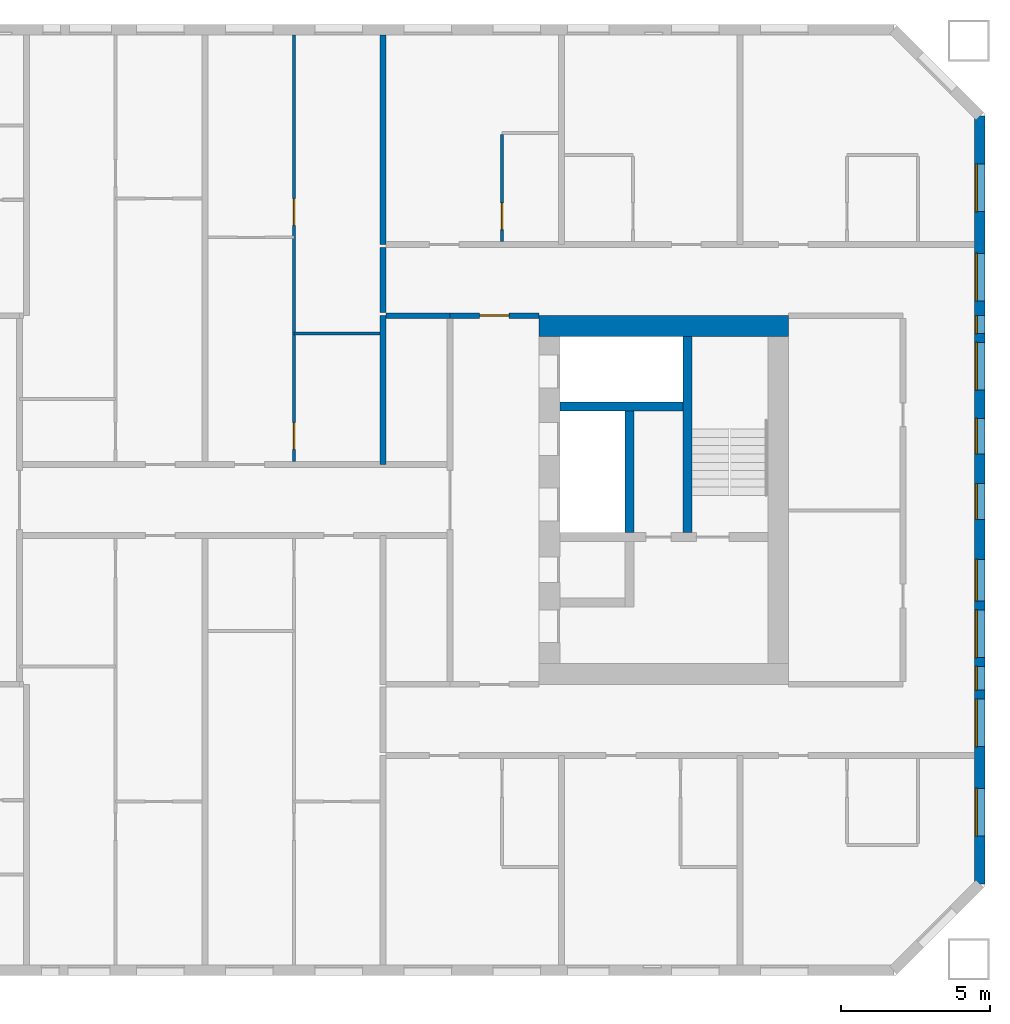
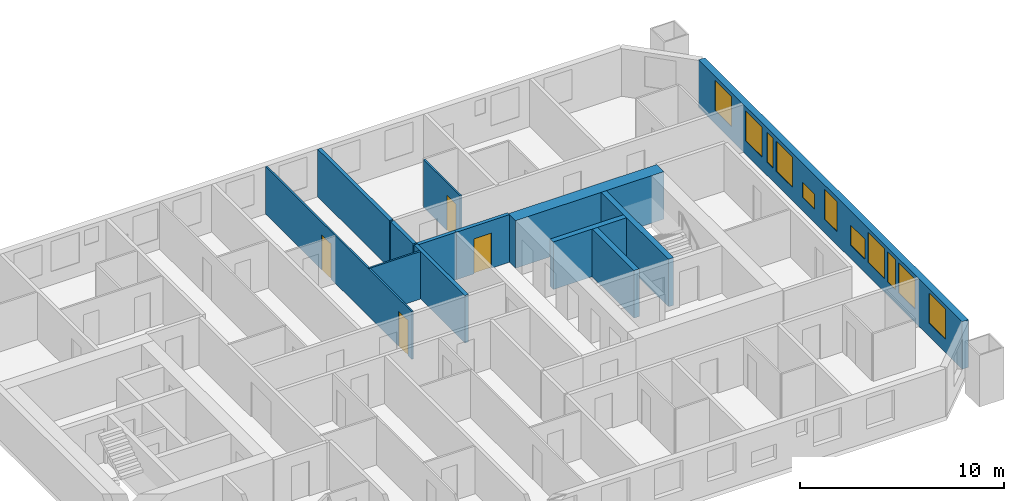
# One storey, part 13 of 17: 13 walls, 11 windows, 4 doors, 15 openings.
"""IFC4 building model written with IfcOpenShell, lengths in metres."""

from ifc_helpers import new_model, si_unit, direction, frame, frame_2d, origin, place, context, subcontext, project, spatial, rectangle, extrude, material, layer, layer_set, type_object, element, fill, save


model = new_model("IFC4")

# Units and contexts
model_context = context("Model", 3, precision=1e-05, world=origin(), true_north=direction((0.0, 1.0)))
body_context = subcontext(model_context, "Body", "Model", "MODEL_VIEW")
ifc_project = project(units=[si_unit("LENGTHUNIT", "METRE"), si_unit("AREAUNIT", "SQUARE_METRE"), si_unit("VOLUMEUNIT", "CUBIC_METRE"), si_unit("PLANEANGLEUNIT", "RADIAN"), si_unit("MASSUNIT", "GRAM", prefix="KILO")], contexts=[model_context])

# Site, building, storey
site_placement = place(None, origin())
site = spatial("IfcSite", under=ifc_project, at=site_placement, CompositionType="ELEMENT")
building_placement = place(site_placement, origin())
building = spatial("IfcBuilding", under=site, at=building_placement, Name="Tuart Gate Housing", CompositionType="ELEMENT")
storey_placement = place(building_placement, frame((0.0, 0.0, 77.800048828125)))
storey = spatial("IfcBuildingStorey", under=building, at=storey_placement, Name="L21", CompositionType="ELEMENT", Elevation=77.800048828125)

# Wall, openings, windows
ifc_material_1 = material(Name="Brick", Category="masonry")
ifc_layer_1 = layer(ifc_material_1, 0.360107421875)
ifc_layer_set_1 = layer_set([ifc_layer_1], Name="Brick pier and spandrel wall 360")
wall_type_1 = type_object("IfcWallType", Name="Brick pier and spandrel wall 360", PredefinedType="STANDARD", material=ifc_layer_set_1)
wall_1_placement = place(storey_placement, frame((175.070068359375, 57.07470703125, 0.0), z_axis=(0.0, 0.0, 1.0), x_axis=(0.0, 1.0, 0.0)))
wall_1 = element("IfcWall", 1, at=wall_1_placement, inside=storey, type_object=wall_type_1, Name="External wall B-E L21", PredefinedType="STANDARD", context=body_context, shape_type="SweptSolid", body=[
    extrude(rectangle(XDim=25.850830078125, YDim=0.360107421875, at=frame_2d((12.92529296875, 0.0))), origin(), (0.0, 0.0, 1.0), 2.849853515625),
])
opening_1_placement = place(wall_1_placement, frame((1.62548828125, 0.0, 0.800048828125)))
opening_1 = element("IfcOpeningElement", 2, at=opening_1_placement, cuts=wall_1, Name="Opening W1", PredefinedType="OPENING", context=body_context, shape_type="SweptSolid", body=[
    extrude(rectangle(XDim=1.60009765625, YDim=1.800048828125, at=frame_2d((0.800048828125, 0.89990234375))), frame((0.0, 0.18994140625, 0.0), z_axis=(0.0, -1.0, 0.0), x_axis=(1.0, 0.0, 0.0)), (0.0, 0.0, 1.0), 0.380126953125),
])
opening_2_placement = place(wall_1_placement, frame((4.62548828125, 0.0, 0.800048828125)))
opening_2 = element("IfcOpeningElement", 3, at=opening_2_placement, cuts=wall_1, Name="Opening W1", PredefinedType="OPENING", context=body_context, shape_type="SweptSolid", body=[
    extrude(rectangle(XDim=1.60009765625, YDim=1.800048828125, at=frame_2d((0.800048828125, 0.89990234375))), frame((0.0, 0.18994140625, 0.0), z_axis=(0.0, -1.0, 0.0), x_axis=(1.0, 0.0, 0.0)), (0.0, 0.0, 1.0), 0.380126953125),
])
opening_3_placement = place(wall_1_placement, frame((7.62548828125, 0.0, 0.800048828125)))
opening_3 = element("IfcOpeningElement", 4, at=opening_3_placement, cuts=wall_1, Name="Opening W1", PredefinedType="OPENING", context=body_context, shape_type="SweptSolid", body=[
    extrude(rectangle(XDim=1.60009765625, YDim=1.800048828125, at=frame_2d((0.800048828125, 0.89990234375))), frame((0.0, 0.18994140625, 0.0), z_axis=(0.0, -1.0, 0.0), x_axis=(1.0, 0.0, 0.0)), (0.0, 0.0, 1.0), 0.380126953125),
])
opening_4_placement = place(wall_1_placement, frame((6.525390625, 0.0, 0.800048828125)))
opening_4 = element("IfcOpeningElement", 5, at=opening_4_placement, cuts=wall_1, Name="Opening W1D", PredefinedType="OPENING", context=body_context, shape_type="SweptSolid", body=[
    extrude(rectangle(XDim=0.800048828125, YDim=1.800048828125, at=frame_2d((0.39990234375, 0.89990234375))), frame((0.0, 0.18994140625, 0.0), z_axis=(0.0, -1.0, 0.0), x_axis=(1.0, 0.0, 0.0)), (0.0, 0.0, 1.0), 0.380126953125),
])
opening_5_placement = place(wall_1_placement, frame((9.525390625, 0.0, 0.800048828125)))
opening_5 = element("IfcOpeningElement", 6, at=opening_5_placement, cuts=wall_1, Name="Opening W1M", PredefinedType="OPENING", context=body_context, shape_type="SweptSolid", body=[
    extrude(rectangle(XDim=1.39990234375, YDim=1.199951171875, at=frame_2d((0.699951171875, 0.60009765625))), frame((0.0, 0.18994140625, 0.0), z_axis=(0.0, -1.0, 0.0), x_axis=(1.0, 0.0, 0.0)), (0.0, 0.0, 1.0), 0.380126953125),
])
opening_6_placement = place(wall_1_placement, frame((16.62548828125, 0.0, 0.800048828125)))
opening_6 = element("IfcOpeningElement", 7, at=opening_6_placement, cuts=wall_1, Name="Opening W1", PredefinedType="OPENING", context=body_context, shape_type="SweptSolid", body=[
    extrude(rectangle(XDim=1.60009765625, YDim=1.800048828125, at=frame_2d((0.800048828125, 0.89990234375))), frame((0.0, 0.18994140625, 0.0), z_axis=(0.0, -1.0, 0.0), x_axis=(1.0, 0.0, 0.0)), (0.0, 0.0, 1.0), 0.380126953125),
])
opening_7_placement = place(wall_1_placement, frame((19.62548828125, 0.0, 0.800048828125)))
opening_7 = element("IfcOpeningElement", 8, at=opening_7_placement, cuts=wall_1, Name="Opening W1", PredefinedType="OPENING", context=body_context, shape_type="SweptSolid", body=[
    extrude(rectangle(XDim=1.60009765625, YDim=1.800048828125, at=frame_2d((0.800048828125, 0.89990234375))), frame((0.0, 0.18994140625, 0.0), z_axis=(0.0, -1.0, 0.0), x_axis=(1.0, 0.0, 0.0)), (0.0, 0.0, 1.0), 0.380126953125),
])
opening_8_placement = place(wall_1_placement, frame((22.62548828125, 0.0, 0.800048828125)))
opening_8 = element("IfcOpeningElement", 9, at=opening_8_placement, cuts=wall_1, Name="Opening W1", PredefinedType="OPENING", context=body_context, shape_type="SweptSolid", body=[
    extrude(rectangle(XDim=1.60009765625, YDim=1.800048828125, at=frame_2d((0.800048828125, 0.89990234375))), frame((0.0, 0.18994140625, 0.0), z_axis=(0.0, -1.0, 0.0), x_axis=(1.0, 0.0, 0.0)), (0.0, 0.0, 1.0), 0.380126953125),
])
opening_9_placement = place(wall_1_placement, frame((12.275390625, 0.0, 0.800048828125)))
opening_9 = element("IfcOpeningElement", 10, at=opening_9_placement, cuts=wall_1, Name="Opening W1B", PredefinedType="OPENING", context=body_context, shape_type="SweptSolid", body=[
    extrude(rectangle(XDim=1.199951171875, YDim=1.800048828125, at=frame_2d((0.60009765625, 0.89990234375))), frame((0.0, 0.18994140625, 0.0), z_axis=(0.0, -1.0, 0.0), x_axis=(1.0, 0.0, 0.0)), (0.0, 0.0, 1.0), 0.380126953125),
])
opening_10_placement = place(wall_1_placement, frame((14.475341796875, 0.0, 0.800048828125)))
opening_10 = element("IfcOpeningElement", 11, at=opening_10_placement, cuts=wall_1, Name="Opening W1T", PredefinedType="OPENING", context=body_context, shape_type="SweptSolid", body=[
    extrude(rectangle(XDim=1.199951171875, YDim=0.89990234375, at=frame_2d((0.60009765625, 0.449951171875))), frame((0.0, 0.18994140625, 0.0), z_axis=(0.0, -1.0, 0.0), x_axis=(1.0, 0.0, 0.0)), (0.0, 0.0, 1.0), 0.380126953125),
])
opening_11_placement = place(wall_1_placement, frame((18.525390625, 0.0, 0.800048828125)))
opening_11 = element("IfcOpeningElement", 12, at=opening_11_placement, cuts=wall_1, Name="Opening W1E", PredefinedType="OPENING", context=body_context, shape_type="SweptSolid", body=[
    extrude(rectangle(XDim=0.60009765625, YDim=1.800048828125, at=frame_2d((0.300048828125, 0.89990234375))), frame((0.0, 0.18994140625, 0.0), z_axis=(0.0, -1.0, 0.0), x_axis=(1.0, 0.0, 0.0)), (0.0, 0.0, 1.0), 0.380126953125),
])
ifc_material_2 = material(Name="Aluminium frame with clear glass", Category="aluminium")
window_type_1 = type_object("IfcWindowType", Name="Punched window 1200 x 1800", PartitioningType="SINGLE_PANEL", PredefinedType="WINDOW", material=ifc_material_2)
window_1_placement = place(opening_9_placement, origin())
window_1 = element("IfcWindow", 13, at=window_1_placement, inside=storey, type_object=window_type_1, Name="Window W1B", OverallHeight=1.800048828125, OverallWidth=1.199951171875, PartitioningType="SINGLE_PANEL", PredefinedType="WINDOW", context=body_context, shape_type="SweptSolid", body=[
    extrude(rectangle(XDim=1.199951171875, YDim=1.800048828125, at=frame_2d((0.60009765625, 0.89990234375))), frame((0.0, 0.150146484375, 0.0), z_axis=(0.0, -1.0, 0.0), x_axis=(1.0, 0.0, 0.0)), (0.0, 0.0, 1.0), 0.06005859375),
])
fill(opening_9, window_1)
ifc_material_3 = material(Name="Aluminium frame with clear glass", Category="aluminium")
window_type_2 = type_object("IfcWindowType", Name="Punched window 1200 x 900", PartitioningType="SINGLE_PANEL", PredefinedType="WINDOW", material=ifc_material_3)
window_2_placement = place(opening_10_placement, origin())
window_2 = element("IfcWindow", 14, at=window_2_placement, inside=storey, type_object=window_type_2, Name="Window W1T", OverallHeight=0.89990234375, OverallWidth=1.199951171875, PartitioningType="SINGLE_PANEL", PredefinedType="WINDOW", context=body_context, shape_type="SweptSolid", body=[
    extrude(rectangle(XDim=1.199951171875, YDim=0.89990234375, at=frame_2d((0.60009765625, 0.449951171875))), frame((0.0, 0.150146484375, 0.0), z_axis=(0.0, -1.0, 0.0), x_axis=(1.0, 0.0, 0.0)), (0.0, 0.0, 1.0), 0.06005859375),
])
fill(opening_10, window_2)
ifc_material_4 = material(Name="Aluminium frame with clear glass", Category="aluminium")
window_type_3 = type_object("IfcWindowType", Name="Punched window 1400 x 1200", PartitioningType="SINGLE_PANEL", PredefinedType="WINDOW", material=ifc_material_4)
window_3_placement = place(opening_5_placement, origin())
window_3 = element("IfcWindow", 15, at=window_3_placement, inside=storey, type_object=window_type_3, Name="Window W1M", OverallHeight=1.199951171875, OverallWidth=1.39990234375, PartitioningType="SINGLE_PANEL", PredefinedType="WINDOW", context=body_context, shape_type="SweptSolid", body=[
    extrude(rectangle(XDim=1.39990234375, YDim=1.199951171875, at=frame_2d((0.699951171875, 0.60009765625))), frame((0.0, 0.150146484375, 0.0), z_axis=(0.0, -1.0, 0.0), x_axis=(1.0, 0.0, 0.0)), (0.0, 0.0, 1.0), 0.06005859375),
])
fill(opening_5, window_3)
ifc_material_5 = material(Name="Aluminium frame with clear glass", Category="aluminium")
window_type_4 = type_object("IfcWindowType", Name="Punched window 1600 x 1800", PartitioningType="SINGLE_PANEL", PredefinedType="WINDOW", material=ifc_material_5)
window_4_placement = place(opening_1_placement, origin())
window_4 = element("IfcWindow", 16, at=window_4_placement, inside=storey, type_object=window_type_4, Name="Window W1", OverallHeight=1.800048828125, OverallWidth=1.60009765625, PartitioningType="SINGLE_PANEL", PredefinedType="WINDOW", context=body_context, shape_type="SweptSolid", body=[
    extrude(rectangle(XDim=1.60009765625, YDim=1.800048828125, at=frame_2d((0.800048828125, 0.89990234375))), frame((0.0, 0.150146484375, 0.0), z_axis=(0.0, -1.0, 0.0), x_axis=(1.0, 0.0, 0.0)), (0.0, 0.0, 1.0), 0.06005859375),
])
fill(opening_1, window_4)
window_5_placement = place(opening_2_placement, origin())
window_5 = element("IfcWindow", 17, at=window_5_placement, inside=storey, type_object=window_type_4, Name="Window W1", OverallHeight=1.800048828125, OverallWidth=1.60009765625, PartitioningType="SINGLE_PANEL", PredefinedType="WINDOW", context=body_context, shape_type="SweptSolid", body=[
    extrude(rectangle(XDim=1.60009765625, YDim=1.800048828125, at=frame_2d((0.800048828125, 0.89990234375))), frame((0.0, 0.150146484375, 0.0), z_axis=(0.0, -1.0, 0.0), x_axis=(1.0, 0.0, 0.0)), (0.0, 0.0, 1.0), 0.06005859375),
])
fill(opening_2, window_5)
window_6_placement = place(opening_3_placement, origin())
window_6 = element("IfcWindow", 18, at=window_6_placement, inside=storey, type_object=window_type_4, Name="Window W1", OverallHeight=1.800048828125, OverallWidth=1.60009765625, PartitioningType="SINGLE_PANEL", PredefinedType="WINDOW", context=body_context, shape_type="SweptSolid", body=[
    extrude(rectangle(XDim=1.60009765625, YDim=1.800048828125, at=frame_2d((0.800048828125, 0.89990234375))), frame((0.0, 0.150146484375, 0.0), z_axis=(0.0, -1.0, 0.0), x_axis=(1.0, 0.0, 0.0)), (0.0, 0.0, 1.0), 0.06005859375),
])
fill(opening_3, window_6)
window_7_placement = place(opening_6_placement, origin())
window_7 = element("IfcWindow", 19, at=window_7_placement, inside=storey, type_object=window_type_4, Name="Window W1", OverallHeight=1.800048828125, OverallWidth=1.60009765625, PartitioningType="SINGLE_PANEL", PredefinedType="WINDOW", context=body_context, shape_type="SweptSolid", body=[
    extrude(rectangle(XDim=1.60009765625, YDim=1.800048828125, at=frame_2d((0.800048828125, 0.89990234375))), frame((0.0, 0.150146484375, 0.0), z_axis=(0.0, -1.0, 0.0), x_axis=(1.0, 0.0, 0.0)), (0.0, 0.0, 1.0), 0.06005859375),
])
fill(opening_6, window_7)
window_8_placement = place(opening_7_placement, origin())
window_8 = element("IfcWindow", 20, at=window_8_placement, inside=storey, type_object=window_type_4, Name="Window W1", OverallHeight=1.800048828125, OverallWidth=1.60009765625, PartitioningType="SINGLE_PANEL", PredefinedType="WINDOW", context=body_context, shape_type="SweptSolid", body=[
    extrude(rectangle(XDim=1.60009765625, YDim=1.800048828125, at=frame_2d((0.800048828125, 0.89990234375))), frame((0.0, 0.150146484375, 0.0), z_axis=(0.0, -1.0, 0.0), x_axis=(1.0, 0.0, 0.0)), (0.0, 0.0, 1.0), 0.06005859375),
])
fill(opening_7, window_8)
window_9_placement = place(opening_8_placement, origin())
window_9 = element("IfcWindow", 21, at=window_9_placement, inside=storey, type_object=window_type_4, Name="Window W1", OverallHeight=1.800048828125, OverallWidth=1.60009765625, PartitioningType="SINGLE_PANEL", PredefinedType="WINDOW", context=body_context, shape_type="SweptSolid", body=[
    extrude(rectangle(XDim=1.60009765625, YDim=1.800048828125, at=frame_2d((0.800048828125, 0.89990234375))), frame((0.0, 0.150146484375, 0.0), z_axis=(0.0, -1.0, 0.0), x_axis=(1.0, 0.0, 0.0)), (0.0, 0.0, 1.0), 0.06005859375),
])
fill(opening_8, window_9)
ifc_material_6 = material(Name="Aluminium frame with clear glass", Category="aluminium")
window_type_5 = type_object("IfcWindowType", Name="Punched window 600 x 1800", PartitioningType="SINGLE_PANEL", PredefinedType="WINDOW", material=ifc_material_6)
window_10_placement = place(opening_11_placement, origin())
window_10 = element("IfcWindow", 22, at=window_10_placement, inside=storey, type_object=window_type_5, Name="Window W1E", OverallHeight=1.800048828125, OverallWidth=0.60009765625, PartitioningType="SINGLE_PANEL", PredefinedType="WINDOW", context=body_context, shape_type="SweptSolid", body=[
    extrude(rectangle(XDim=0.60009765625, YDim=1.800048828125, at=frame_2d((0.300048828125, 0.89990234375))), frame((0.0, 0.150146484375, 0.0), z_axis=(0.0, -1.0, 0.0), x_axis=(1.0, 0.0, 0.0)), (0.0, 0.0, 1.0), 0.06005859375),
])
fill(opening_11, window_10)
ifc_material_7 = material(Name="Aluminium frame with clear glass", Category="aluminium")
window_type_6 = type_object("IfcWindowType", Name="Punched window 800 x 1800", PartitioningType="SINGLE_PANEL", PredefinedType="WINDOW", material=ifc_material_7)
window_11_placement = place(opening_4_placement, origin())
window_11 = element("IfcWindow", 23, at=window_11_placement, inside=storey, type_object=window_type_6, Name="Window W1D", OverallHeight=1.800048828125, OverallWidth=0.800048828125, PartitioningType="SINGLE_PANEL", PredefinedType="WINDOW", context=body_context, shape_type="SweptSolid", body=[
    extrude(rectangle(XDim=0.800048828125, YDim=1.800048828125, at=frame_2d((0.39990234375, 0.89990234375))), frame((0.0, 0.150146484375, 0.0), z_axis=(0.0, -1.0, 0.0), x_axis=(1.0, 0.0, 0.0)), (0.0, 0.0, 1.0), 0.06005859375),
])
fill(opening_4, window_11)

# Walls
ifc_material_8 = material(Name="Concrete C50", Category="concrete")
ifc_layer_2 = layer(ifc_material_8, 0.300048828125)
ifc_layer_set_2 = layer_set([ifc_layer_2], Name="Core wall 300 C50")
wall_type_2 = type_object("IfcWallType", Name="Core wall 300 C50", PredefinedType="SHEAR", material=ifc_layer_set_2)
wall_2_placement = place(storey_placement, frame((160.93994140625, 73.14990234375, 0.0), z_axis=(0.0, 0.0, 1.0), x_axis=(1.0, 0.0, 0.0)))
element("IfcWall", 24, at=wall_2_placement, inside=storey, type_object=wall_type_2, Name="Core wall BK.1", PredefinedType="SHEAR", context=body_context, shape_type="SweptSolid", body=[
    extrude(rectangle(XDim=4.150146484375, YDim=0.300048828125, at=frame_2d((2.0751953125, 0.0))), origin(), (0.0, 0.0, 1.0), 2.849853515625),
])
wall_3_placement = place(storey_placement, frame((163.2900390625, 73.0, 0.0), z_axis=(0.0, 0.0, 1.0), x_axis=(0.0, -1.0, 0.0)))
element("IfcWall", 25, at=wall_3_placement, inside=storey, type_object=wall_type_2, Name="Core wall BK.4", PredefinedType="SHEAR", context=body_context, shape_type="SweptSolid", body=[
    extrude(rectangle(XDim=4.10009765625, YDim=0.300048828125, at=frame_2d((2.050048828125, 0.0))), origin(), (0.0, 0.0, 1.0), 2.849853515625),
])
wall_4_placement = place(storey_placement, frame((165.239990234375, 75.5, 0.0), z_axis=(0.0, 0.0, 1.0), x_axis=(0.0, -1.0, 0.0)))
element("IfcWall", 26, at=wall_4_placement, inside=storey, type_object=wall_type_2, Name="Core wall BK.6", PredefinedType="SHEAR", context=body_context, shape_type="SweptSolid", body=[
    extrude(rectangle(XDim=6.60009765625, YDim=0.300048828125, at=frame_2d((3.300048828125, 0.0))), origin(), (0.0, 0.0, 1.0), 2.849853515625),
])
ifc_material_9 = material(Name="Concrete C50", Category="concrete")
ifc_layer_3 = layer(ifc_material_9, 0.699951171875)
ifc_layer_set_3 = layer_set([ifc_layer_3], Name="Core wall 700 C50")
wall_type_3 = type_object("IfcWallType", Name="Core wall 700 C50", PredefinedType="SHEAR", material=ifc_layer_set_3)
wall_5_placement = place(storey_placement, frame((160.239990234375, 75.85009765625, 0.0), z_axis=(0.0, 0.0, 1.0), x_axis=(1.0, 0.0, 0.0)))
element("IfcWall", 27, at=wall_5_placement, inside=storey, type_object=wall_type_3, Name="Core wall BK south", PredefinedType="SHEAR", context=body_context, shape_type="SweptSolid", body=[
    extrude(rectangle(XDim=8.39990234375, YDim=0.699951171875, at=frame_2d((4.199951171875, 0.0))), origin(), (0.0, 0.0, 1.0), 2.849853515625),
])
ifc_material_10 = material(Name="Concrete masonry 15 MPa", Category="masonry")
ifc_layer_4 = layer(ifc_material_10, 0.199951171875)
ifc_layer_set_4 = layer_set([ifc_layer_4], Name="Corridor wall masonry 200")
wall_type_4 = type_object("IfcWallType", Name="Corridor wall masonry 200", PredefinedType="PARTITIONING", material=ifc_layer_set_4)
wall_6_placement = place(storey_placement, frame((155.10009765625, 76.199951171875, 0.0), z_axis=(0.0, 0.0, 1.0), x_axis=(1.0, 0.0, 0.0)))
element("IfcWall", 28, at=wall_6_placement, inside=storey, type_object=wall_type_4, Name="Corridor wall masonry 200", PredefinedType="PARTITIONING", context=body_context, shape_type="SweptSolid", body=[
    extrude(rectangle(XDim=2.139892578125, YDim=0.199951171875, at=frame_2d((1.06982421875, 0.0))), origin(), (0.0, 0.0, 1.0), 2.849853515625),
])
wall_7_placement = place(storey_placement, frame((155.0, 76.300048828125, 0.0), z_axis=(0.0, 0.0, 1.0), x_axis=(0.0, 1.0, 0.0)))
element("IfcWall", 29, at=wall_7_placement, inside=storey, type_object=wall_type_4, Name="Corridor wall masonry 200", PredefinedType="PARTITIONING", context=body_context, shape_type="SweptSolid", body=[
    extrude(rectangle(XDim=2.199951171875, YDim=0.199951171875, at=frame_2d((1.10009765625, 0.0))), origin(), (0.0, 0.0, 1.0), 2.849853515625),
])

# Wall, opening, door
ifc_material_11 = material(Name="Concrete masonry 15 MPa", Category="masonry")
ifc_layer_5 = layer(ifc_material_11, 0.199951171875)
ifc_layer_set_5 = layer_set([ifc_layer_5], Name="Enclosure wall masonry 200")
wall_type_5 = type_object("IfcWallType", Name="Enclosure wall masonry 200", PredefinedType="PARTITIONING", material=ifc_layer_set_5)
wall_8_placement = place(storey_placement, frame((157.239990234375, 76.199951171875, 0.0), z_axis=(0.0, 0.0, 1.0), x_axis=(1.0, 0.0, 0.0)))
wall_8 = element("IfcWall", 30, at=wall_8_placement, inside=storey, type_object=wall_type_5, Name="Enclosure wall masonry 200", PredefinedType="PARTITIONING", context=body_context, shape_type="SweptSolid", body=[
    extrude(rectangle(XDim=3.0, YDim=0.199951171875, at=frame_2d((1.5, 0.0))), origin(), (0.0, 0.0, 1.0), 2.849853515625),
])
opening_12_placement = place(wall_8_placement, frame((1.0, 0.0, 0.0)))
opening_12 = element("IfcOpeningElement", 31, at=opening_12_placement, cuts=wall_8, Name="Opening D914", PredefinedType="OPENING", context=body_context, shape_type="SweptSolid", body=[
    extrude(rectangle(XDim=1.0, YDim=2.10009765625, at=frame_2d((0.5, 1.050048828125))), frame((0.0, 0.10986328125, 0.0), z_axis=(0.0, -1.0, 0.0), x_axis=(1.0, 0.0, 0.0)), (0.0, 0.0, 1.0), 0.219970703125),
])
ifc_material_12 = material(Name="Timber door leaf in steel frame", Category="steel")
door_type_1 = type_object("IfcDoorType", Name="Fire door 1000", OperationType="SINGLE_SWING_LEFT", PredefinedType="DOOR", material=ifc_material_12)
door_1_placement = place(opening_12_placement, origin())
door_1 = element("IfcDoor", 32, at=door_1_placement, inside=storey, type_object=door_type_1, Name="Fire door", OperationType="SINGLE_SWING_LEFT", OverallHeight=2.10009765625, OverallWidth=1.0, PredefinedType="DOOR", context=body_context, shape_type="SweptSolid", body=[
    extrude(rectangle(XDim=1.0, YDim=2.10009765625, at=frame_2d((0.5, 1.050048828125))), frame((0.0, 0.02490234375, 0.0), z_axis=(0.0, -1.0, 0.0), x_axis=(1.0, 0.0, 0.0)), (0.0, 0.0, 1.0), 0.050048828125),
])
fill(opening_12, door_1)

# Wall
ifc_material_13 = material(Name="Gypsum board on steel studs", Category="steel")
ifc_layer_6 = layer(ifc_material_13, 0.10009765625)
ifc_layer_set_6 = layer_set([ifc_layer_6], Name="Partition 100")
wall_type_6 = type_object("IfcWallType", Name="Partition 100", PredefinedType="PARTITIONING", material=ifc_layer_set_6)
wall_9_placement = place(storey_placement, frame((152.0, 75.60009765625, 0.0), z_axis=(0.0, 0.0, 1.0), x_axis=(1.0, 0.0, 0.0)))
element("IfcWall", 33, at=wall_9_placement, inside=storey, type_object=wall_type_6, Name="Partition 100", PredefinedType="PARTITIONING", context=body_context, shape_type="SweptSolid", body=[
    extrude(rectangle(XDim=2.89990234375, YDim=0.10009765625, at=frame_2d((1.449951171875, 0.0))), origin(), (0.0, 0.0, 1.0), 2.849853515625),
])

# Wall, openings, doors
wall_10_placement = place(storey_placement, frame((152.0, 71.300048828125, 0.0), z_axis=(0.0, 0.0, 1.0), x_axis=(0.0, 1.0, 0.0)))
wall_10 = element("IfcWall", 34, at=wall_10_placement, inside=storey, type_object=wall_type_6, Name="Partition 100", PredefinedType="PARTITIONING", context=body_context, shape_type="SweptSolid", body=[
    extrude(rectangle(XDim=14.33984375, YDim=0.10009765625, at=frame_2d((7.169921875, 0.0))), origin(), (0.0, 0.0, 1.0), 2.849853515625),
])
opening_13_placement = place(wall_10_placement, frame((7.93994140625, 0.0, 0.0)))
opening_13 = element("IfcOpeningElement", 35, at=opening_13_placement, cuts=wall_10, Name="Opening D912", PredefinedType="OPENING", context=body_context, shape_type="SweptSolid", body=[
    extrude(rectangle(XDim=0.89990234375, YDim=2.10009765625, at=frame_2d((0.449951171875, 1.050048828125))), frame((0.0, 0.06005859375, 0.0), z_axis=(0.0, -1.0, 0.0), x_axis=(1.0, 0.0, 0.0)), (0.0, 0.0, 1.0), 0.1201171875),
])
opening_14_placement = place(wall_10_placement, frame((0.39990234375, 0.0, 0.0)))
opening_14 = element("IfcOpeningElement", 36, at=opening_14_placement, cuts=wall_10, Name="Opening D911", PredefinedType="OPENING", context=body_context, shape_type="SweptSolid", body=[
    extrude(rectangle(XDim=0.89990234375, YDim=2.10009765625, at=frame_2d((0.449951171875, 1.050048828125))), frame((0.0, 0.06005859375, 0.0), z_axis=(0.0, -1.0, 0.0), x_axis=(1.0, 0.0, 0.0)), (0.0, 0.0, 1.0), 0.1201171875),
])
ifc_material_14 = material(Name="Timber door leaf in steel frame", Category="steel")
door_type_2 = type_object("IfcDoorType", Name="Bathroom door 900 RH", OperationType="SINGLE_SWING_RIGHT", PredefinedType="DOOR", material=ifc_material_14)
door_2_placement = place(opening_14_placement, frame((0.89990234375, 0.0, 0.0), z_axis=(0.0, 0.0, 1.0), x_axis=(-1.0, 0.0, 0.0)))
door_2 = element("IfcDoor", 37, at=door_2_placement, inside=storey, type_object=door_type_2, Name="Bathroom door", OperationType="SINGLE_SWING_RIGHT", OverallHeight=2.10009765625, OverallWidth=0.89990234375, PredefinedType="DOOR", context=body_context, shape_type="SweptSolid", body=[
    extrude(rectangle(XDim=0.89990234375, YDim=2.10009765625, at=frame_2d((0.449951171875, 1.050048828125))), frame((0.0, 0.025146484375, 0.0), z_axis=(0.0, -1.0, 0.0), x_axis=(1.0, 0.0, 0.0)), (0.0, 0.0, 1.0), 0.050048828125),
])
fill(opening_14, door_2)
ifc_material_15 = material(Name="Timber door leaf in steel frame", Category="steel")
door_type_3 = type_object("IfcDoorType", Name="Internal door 900 RH", OperationType="SINGLE_SWING_RIGHT", PredefinedType="DOOR", material=ifc_material_15)
door_3_placement = place(opening_13_placement, frame((0.89990234375, 0.0, 0.0), z_axis=(0.0, 0.0, 1.0), x_axis=(-1.0, 0.0, 0.0)))
door_3 = element("IfcDoor", 38, at=door_3_placement, inside=storey, type_object=door_type_3, Name="Internal door", OperationType="SINGLE_SWING_RIGHT", OverallHeight=2.10009765625, OverallWidth=0.89990234375, PredefinedType="DOOR", context=body_context, shape_type="SweptSolid", body=[
    extrude(rectangle(XDim=0.89990234375, YDim=2.10009765625, at=frame_2d((0.449951171875, 1.050048828125))), frame((0.0, 0.025146484375, 0.0), z_axis=(0.0, -1.0, 0.0), x_axis=(1.0, 0.0, 0.0)), (0.0, 0.0, 1.0), 0.050048828125),
])
fill(opening_13, door_3)

# Wall, opening, door
wall_11_placement = place(storey_placement, frame((159.0, 78.699951171875, 0.0), z_axis=(0.0, 0.0, 1.0), x_axis=(0.0, 1.0, 0.0)))
wall_11 = element("IfcWall", 39, at=wall_11_placement, inside=storey, type_object=wall_type_6, Name="Partition 100", PredefinedType="PARTITIONING", context=body_context, shape_type="SweptSolid", body=[
    extrude(rectangle(XDim=3.60009765625, YDim=0.10009765625, at=frame_2d((1.800048828125, 0.0))), origin(), (0.0, 0.0, 1.0), 2.849853515625),
])
opening_15_placement = place(wall_11_placement, frame((0.39990234375, 0.0, 0.0)))
opening_15 = element("IfcOpeningElement", 40, at=opening_15_placement, cuts=wall_11, Name="Opening D899", PredefinedType="OPENING", context=body_context, shape_type="SweptSolid", body=[
    extrude(rectangle(XDim=0.89990234375, YDim=2.10009765625, at=frame_2d((0.449951171875, 1.050048828125))), frame((0.0, 0.06005859375, 0.0), z_axis=(0.0, -1.0, 0.0), x_axis=(1.0, 0.0, 0.0)), (0.0, 0.0, 1.0), 0.1201171875),
])
door_4_placement = place(opening_15_placement, frame((0.89990234375, 0.0, 0.0), z_axis=(0.0, 0.0, 1.0), x_axis=(-1.0, 0.0, 0.0)))
door_4 = element("IfcDoor", 41, at=door_4_placement, inside=storey, type_object=door_type_2, Name="Bathroom door", OperationType="SINGLE_SWING_RIGHT", OverallHeight=2.10009765625, OverallWidth=0.89990234375, PredefinedType="DOOR", context=body_context, shape_type="SweptSolid", body=[
    extrude(rectangle(XDim=0.89990234375, YDim=2.10009765625, at=frame_2d((0.449951171875, 1.050048828125))), frame((0.0, 0.025146484375, 0.0), z_axis=(0.0, -1.0, 0.0), x_axis=(1.0, 0.0, 0.0)), (0.0, 0.0, 1.0), 0.050048828125),
])
fill(opening_15, door_4)

# Walls
ifc_material_16 = material(Name="Concrete C40", Category="concrete")
ifc_layer_7 = layer(ifc_material_16, 0.199951171875)
ifc_layer_set_7 = layer_set([ifc_layer_7], Name="Party wall concrete C40 200")
wall_type_7 = type_object("IfcWallType", Name="Party wall concrete C40 200", PredefinedType="SOLIDWALL", material=ifc_layer_set_7)
wall_12_placement = place(storey_placement, frame((155.0, 71.199951171875, 0.0), z_axis=(0.0, 0.0, 1.0), x_axis=(0.0, 1.0, 0.0)))
element("IfcWall", 42, at=wall_12_placement, inside=storey, type_object=wall_type_7, Name="Party wall concrete C40 200", PredefinedType="SOLIDWALL", context=body_context, shape_type="SweptSolid", body=[
    extrude(rectangle(XDim=5.0, YDim=0.199951171875, at=frame_2d((2.5, 0.0))), origin(), (0.0, 0.0, 1.0), 2.849853515625),
])
wall_13_placement = place(storey_placement, frame((155.0, 78.60009765625, 0.0), z_axis=(0.0, 0.0, 1.0), x_axis=(0.0, 1.0, 0.0)))
element("IfcWall", 43, at=wall_13_placement, inside=storey, type_object=wall_type_7, Name="Party wall concrete C40 200", PredefinedType="SOLIDWALL", context=body_context, shape_type="SweptSolid", body=[
    extrude(rectangle(XDim=7.039794921875, YDim=0.199951171875, at=frame_2d((3.52001953125, 0.0))), origin(), (0.0, 0.0, 1.0), 2.849853515625),
])

save(model, "model.ifc")
